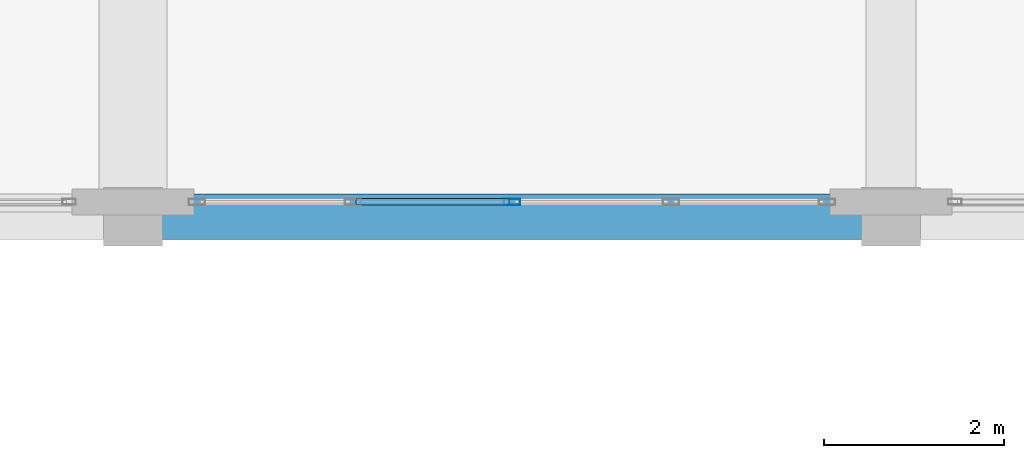
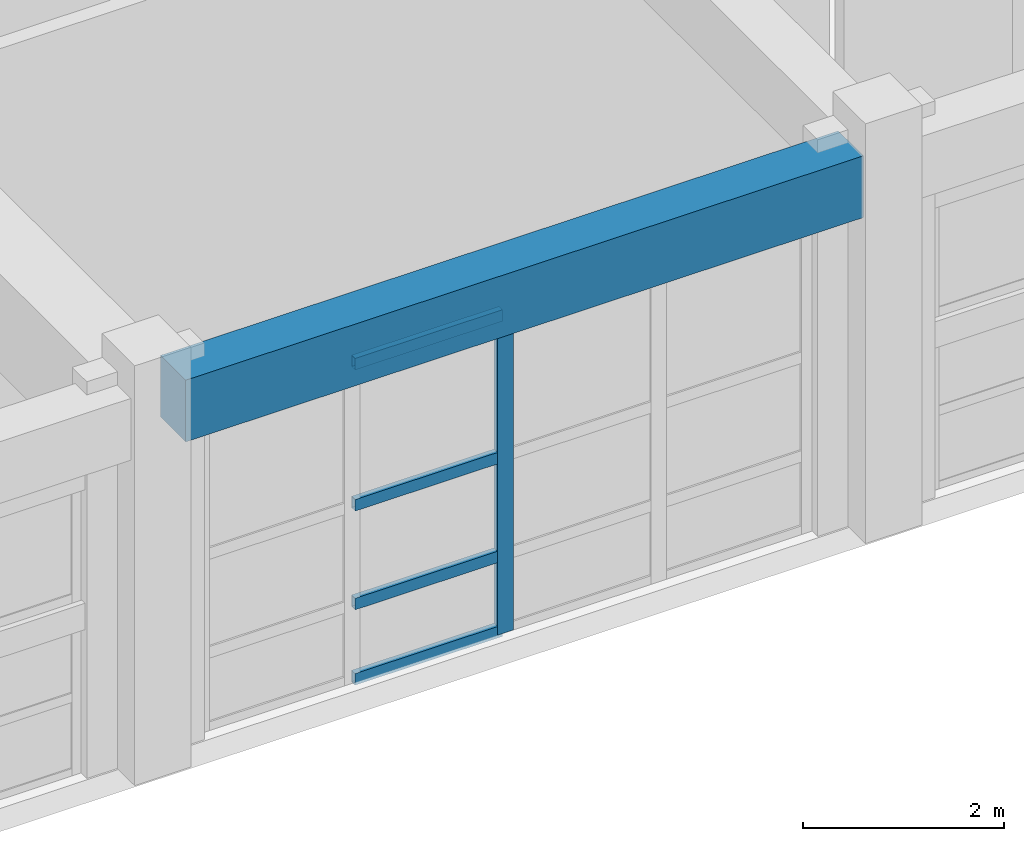
# One storey, part 37 of 78: 5 members, 1 beam, 1 element without a shape of its own.
"""IFC4 building model written with IfcOpenShell, lengths in metres."""

from ifc_helpers import new_model, si_unit, direction, frame, origin, origin_2d, place, context, subcontext, project, spatial, rectangle, hollow_rectangle, extrude, material, layer, layer_set, material_profile, profile_set, type_object, element, aggregate, save


model = new_model("IFC4")

# Units and contexts
model_context = context("Model", 3, precision=1e-05, world=origin(), true_north=direction((0.0, 1.0)))
body_context = subcontext(model_context, "Body", "Model", "MODEL_VIEW")
ifc_project = project(units=[si_unit("LENGTHUNIT", "METRE"), si_unit("AREAUNIT", "SQUARE_METRE"), si_unit("VOLUMEUNIT", "CUBIC_METRE"), si_unit("PLANEANGLEUNIT", "RADIAN"), si_unit("MASSUNIT", "GRAM", prefix="KILO")], contexts=[model_context])

# Site, building, storey
site_placement = place(None, origin())
site = spatial("IfcSite", under=ifc_project, at=site_placement, CompositionType="ELEMENT")
building_placement = place(site_placement, origin())
building = spatial("IfcBuilding", under=site, at=building_placement, Name="Quendrovan Civic Courthouse", CompositionType="ELEMENT")
storey_placement = place(building_placement, frame((0.0, 0.0, 10.199951171875)))
storey = spatial("IfcBuildingStorey", under=building, at=storey_placement, Name="L03", CompositionType="ELEMENT", Elevation=10.199951171875)

# Beam
ifc_material_1 = material(Name="Concrete C40/50", Category="concrete")
ifc_material_profile_1 = material_profile(ifc_material_1, rectangle(XDim=0.5, YDim=0.75, at=origin_2d()), Name="RC-BM-500x750")
ifc_profile_set_1 = profile_set([ifc_material_profile_1], Name="Concrete C40/50")
beam_type = type_object("IfcBeamType", Name="BM-RC750", PredefinedType="SPANDREL", material=ifc_profile_set_1)
beam_placement = place(storey_placement, frame((75.905029296875, 64.800048828125, 4.28515625), z_axis=(1.0, 0.0, 0.0), x_axis=(0.0, 1.0, 0.0)))
element("IfcBeam", 1, at=beam_placement, inside=storey, type_object=beam_type, Name="L03 Girder X0750", PredefinedType="SPANDREL", context=body_context, shape_type="SweptSolid", body=[
    extrude(rectangle(XDim=0.5, YDim=0.75, at=origin_2d()), origin(), (0.0, 0.0, 1.0), 7.7900390625),
])

# Curtain wall, members
ifc_material_2 = material(Name="Bronze anodised aluminium and low-E glass", Category="aluminium")
ifc_layer = layer(ifc_material_2, 0.179931640625, Name="Bronze anodised aluminium and low-E glass")
ifc_layer_set = layer_set([ifc_layer], Name="Bronze anodised aluminium and low-E glass")
curtain_wall_type = type_object("IfcCurtainWallType", Name="CW-U70x39", PredefinedType="USERDEFINED", material=ifc_layer_set)
curtain_wall_placement = place(storey_placement, origin())
curtain_wall = element("IfcCurtainWall", 2, at=curtain_wall_placement, inside=storey, type_object=curtain_wall_type, Name="L03 Unitised Hurricane Curtain Wall CW-132", ObjectType="UNITISED CURTAIN WALL", PredefinedType="USERDEFINED")
ifc_material_3 = material(Name="Bronze anodised aluminium", Category="aluminium")
ifc_material_profile_2 = material_profile(ifc_material_3, hollow_rectangle(XDim=0.070068359375, YDim=0.179931640625, WallThickness=0.00390625, at=origin_2d()), Name="CW-MULL-70x180")
ifc_profile_set_2 = profile_set([ifc_material_profile_2], Name="Bronze anodised aluminium")
member_type_1 = type_object("IfcMemberType", Name="CW-MULL-A", PredefinedType="MULLION", material=ifc_profile_set_2)
member_1_placement = place(storey_placement, frame((79.800048828125, 64.965087890625, 0.0), z_axis=(0.0, 0.0, 1.0), x_axis=(0.0, -1.0, 0.0)))
member_1 = element("IfcMember", 3, at=member_1_placement, type_object=member_type_1, Name="CW-132 mullion 3", PredefinedType="MULLION", context=body_context, shape_type="SweptSolid", body=[
    extrude(hollow_rectangle(XDim=0.070068359375, YDim=0.179931640625, WallThickness=0.00390625, at=origin_2d()), origin(), (0.0, 0.0, 1.0), 3.900146484375),
])
ifc_material_profile_3 = material_profile(ifc_material_3, hollow_rectangle(XDim=0.070068359375, YDim=0.139892578125, WallThickness=0.00390625, at=origin_2d()), Name="CW-TRAN-70x140")
ifc_profile_set_3 = profile_set([ifc_material_profile_3], Name="Bronze anodised aluminium")
member_type_2 = type_object("IfcMemberType", Name="CW-TRAN-A", PredefinedType="USERDEFINED", material=ifc_profile_set_3)
member_2_placement = place(storey_placement, frame((79.764892578125, 64.965087890625, 0.03515625), z_axis=(-1.0, 0.0, 0.0), x_axis=(0.0, -1.0, 0.0)))
member_2 = element("IfcMember", 4, at=member_2_placement, type_object=member_type_2, Name="CW-132 transom 3.1", ObjectType="TRANSOM", PredefinedType="USERDEFINED", context=body_context, shape_type="SweptSolid", body=[
    extrude(hollow_rectangle(XDim=0.070068359375, YDim=0.139892578125, WallThickness=0.00390625, at=origin_2d()), origin(), (0.0, 0.0, 1.0), 1.6923828125),
])
member_3_placement = place(storey_placement, frame((79.764892578125, 64.965087890625, 0.949951171875), z_axis=(-1.0, 0.0, 0.0), x_axis=(0.0, -1.0, 0.0)))
member_3 = element("IfcMember", 5, at=member_3_placement, type_object=member_type_2, Name="CW-132 transom 3.2", ObjectType="TRANSOM", PredefinedType="USERDEFINED", context=body_context, shape_type="SweptSolid", body=[
    extrude(hollow_rectangle(XDim=0.070068359375, YDim=0.139892578125, WallThickness=0.00390625, at=origin_2d()), origin(), (0.0, 0.0, 1.0), 1.6923828125),
])
member_4_placement = place(storey_placement, frame((79.764892578125, 64.965087890625, 2.150146484375), z_axis=(-1.0, 0.0, 0.0), x_axis=(0.0, -1.0, 0.0)))
member_4 = element("IfcMember", 6, at=member_4_placement, type_object=member_type_2, Name="CW-132 transom 3.3", ObjectType="TRANSOM", PredefinedType="USERDEFINED", context=body_context, shape_type="SweptSolid", body=[
    extrude(hollow_rectangle(XDim=0.070068359375, YDim=0.139892578125, WallThickness=0.00390625, at=origin_2d()), origin(), (0.0, 0.0, 1.0), 1.6923828125),
])
member_5_placement = place(storey_placement, frame((79.764892578125, 64.965087890625, 3.864990234375), z_axis=(-1.0, 0.0, 0.0), x_axis=(0.0, -1.0, 0.0)))
member_5 = element("IfcMember", 7, at=member_5_placement, type_object=member_type_2, Name="CW-132 transom 3.4", ObjectType="TRANSOM", PredefinedType="USERDEFINED", context=body_context, shape_type="SweptSolid", body=[
    extrude(hollow_rectangle(XDim=0.070068359375, YDim=0.139892578125, WallThickness=0.00390625, at=origin_2d()), origin(), (0.0, 0.0, 1.0), 1.6923828125),
])
aggregate(curtain_wall, [member_1, member_2, member_3, member_4, member_5])

save(model, "model.ifc")
